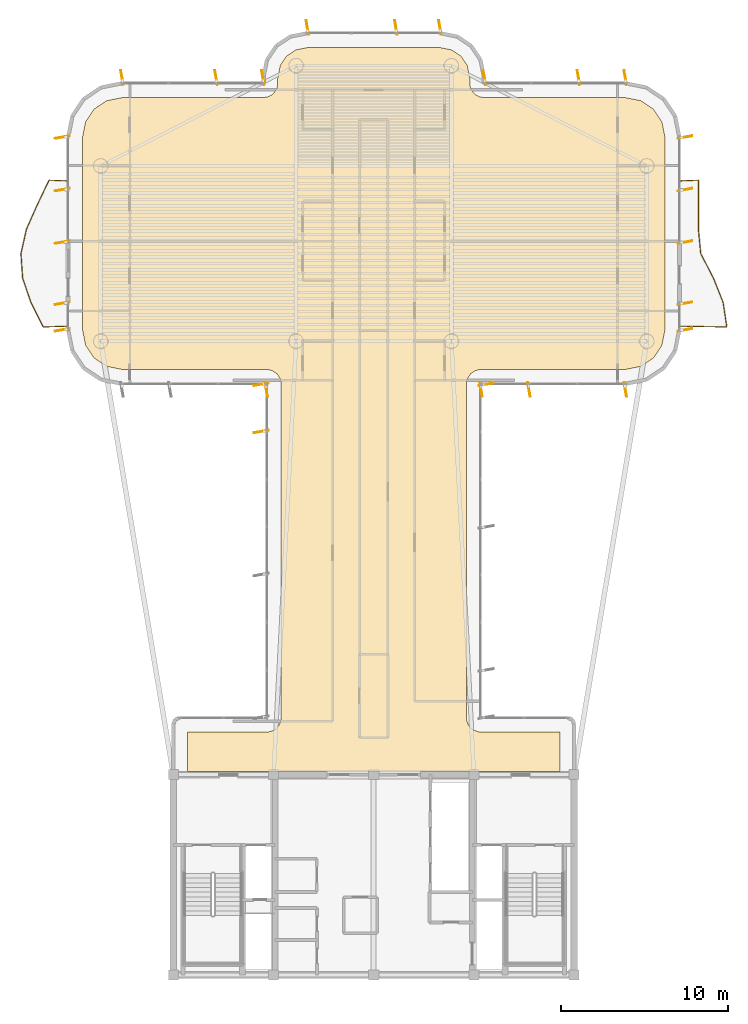
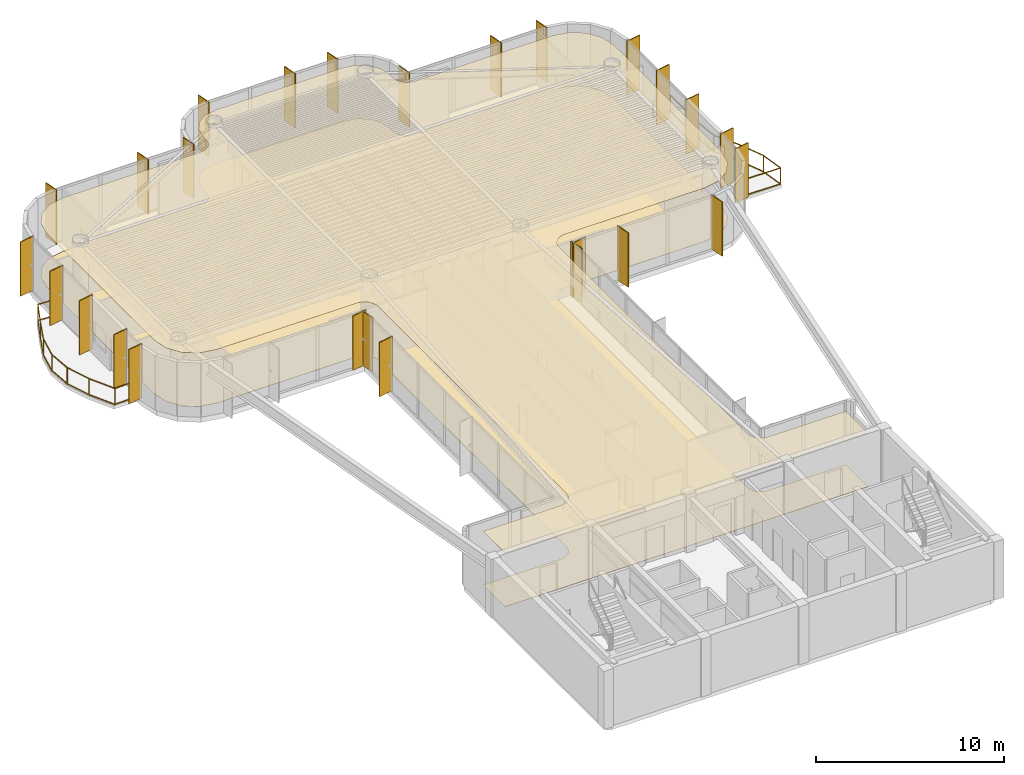
# One storey, part 16 of 16: 26 shading devices, 2 coverings, 2 railings.
"""IFC4 building model written with IfcOpenShell, lengths in metres."""

import ifcopenshell
import ifcopenshell.guid

model = None  # the IFC model being written
_history = None  # IfcOwnerHistory: only IFC2X3 demands one
_inside = {}  # id of a spatial element -> (the spatial element, [elements in it])
_under = {}  # id of a project, library or spatial element -> (it, [spatial elements below it])
_declared = {}  # id of a project -> (the project, [libraries it declares])
_typed = {}  # id of a type object -> (the type object, [elements of that type])
_made_of = {}  # id of a material, layer set ... -> (it, [elements and type objects made of it])


def new_model(schema):
    """Start an empty IFC model of exactly this schema.

    Asked for "IFC4X3", IfcOpenShell would pick the latest addendum, in which some entities
    have other attributes; the version numbers below select the first issue.
    IFC2X3 requires an IfcOwnerHistory on every rooted entity: one is made here for all.
    """
    global model, _history
    if schema == "IFC4X3":
        model = ifcopenshell.file(schema_version=(4, 3, 0, 0))
    else:
        model = ifcopenshell.file(schema=schema)
    _inside.clear()
    _under.clear()
    _declared.clear()
    _typed.clear()
    _made_of.clear()
    _history = None
    if model.schema == "IFC2X3":
        org = make("IfcOrganization", Name="unknown")
        user = make(
            "IfcPersonAndOrganization",
            ThePerson=make("IfcPerson", FamilyName="unknown"),
            TheOrganization=org,
        )
        app = make(
            "IfcApplication",
            ApplicationDeveloper=org,
            Version="unknown",
            ApplicationFullName="unknown",
            ApplicationIdentifier="unknown",
        )
        _history = make(
            "IfcOwnerHistory",
            OwningUser=user,
            OwningApplication=app,
            ChangeAction="ADDED",
            CreationDate=0,
        )
    return model


def make(cls, **values):
    """One entity of the class cls with the attributes given. An attribute that is None is left unset."""
    return model.create_entity(
        cls, **{name: value for name, value in values.items() if value is not None}
    )


def rooted(cls, **values):
    """An entity with a GlobalId (a new one), such as an element, a storey or a relation."""
    return make(cls, GlobalId=ifcopenshell.guid.new(), OwnerHistory=_history, **values)


def si_unit(unit_type, name, prefix=None):
    """IfcSIUnit, for example si_unit("LENGTHUNIT", "METRE", prefix="MILLI")."""
    return make("IfcSIUnit", UnitType=unit_type, Prefix=prefix, Name=name)


def assignment(units):
    """IfcUnitAssignment: the units of a project."""
    return None if units is None else make("IfcUnitAssignment", Units=units)


def point(xyz):
    """IfcCartesianPoint."""
    return None if xyz is None else make("IfcCartesianPoint", Coordinates=xyz)


def direction(xyz):
    """IfcDirection."""
    return None if xyz is None else make("IfcDirection", DirectionRatios=xyz)


def frame(location, z_axis=None, x_axis=None):
    """IfcAxis2Placement3D, a coordinate frame: its origin and axes. An axis left out is left unset."""
    return make(
        "IfcAxis2Placement3D",
        Location=point(location),
        Axis=direction(z_axis),
        RefDirection=direction(x_axis),
    )


def frame_2d(location, x_axis=None):
    """IfcAxis2Placement2D, a coordinate frame in the plane: its origin and x axis."""
    return make(
        "IfcAxis2Placement2D", Location=point(location), RefDirection=direction(x_axis)
    )


def origin():
    """The frame at (0, 0, 0) with its axes left unset."""
    return frame((0.0, 0.0, 0.0))


def origin_2d():
    """The frame at (0, 0) in the plane with its x axis left unset."""
    return frame_2d((0.0, 0.0))


def place(relative_to, where):
    """IfcLocalPlacement: puts the frame where relative to a parent placement (None: the world)."""
    return make(
        "IfcLocalPlacement", PlacementRelTo=relative_to, RelativePlacement=where
    )


def context(
    kind, dimensions, precision=None, world=None, true_north=None, identifier=None
):
    """IfcGeometricRepresentationContext, for example the 3D "Model" context."""
    return make(
        "IfcGeometricRepresentationContext",
        ContextIdentifier=identifier,
        ContextType=kind,
        CoordinateSpaceDimension=dimensions,
        Precision=precision,
        WorldCoordinateSystem=world,
        TrueNorth=true_north,
    )


def subcontext(parent, identifier, kind, view, scale=None):
    """IfcGeometricRepresentationSubContext, for example "Body" below "Model"."""
    return make(
        "IfcGeometricRepresentationSubContext",
        ContextIdentifier=identifier,
        ContextType=kind,
        ParentContext=parent,
        TargetScale=scale,
        TargetView=view,
    )


def project(units=None, contexts=None):
    """IfcProject with its units and contexts."""
    return rooted(
        "IfcProject",
        Name="project",
        RepresentationContexts=contexts,
        UnitsInContext=assignment(units),
    )


def spatial(cls, under=None, at=None, **own):
    """A site, building, storey or space (cls), placed at a placement, below another one or the project."""
    s = rooted(cls, ObjectPlacement=at, **own)
    if under is not None:
        _under.setdefault(under.id(), (under, []))[1].append(s)
    return s


def polyline(points):
    """IfcPolyline through the points."""
    return make("IfcPolyline", Points=[point(p) for p in points])


def profile(cls, at=None, kind="AREA", **sizes):
    """A parametric profile (cls). Its sizes go by their IFC names, for example OverallWidth=200.0."""
    return make(cls, ProfileType=kind, Position=at, **sizes)


def rectangle(**sizes):
    """IfcRectangleProfileDef."""
    return profile("IfcRectangleProfileDef", **sizes)


def outline(outer, holes=None, kind="AREA"):
    """IfcArbitraryClosedProfileDef: a profile drawn as a closed curve; with holes, ...WithVoids."""
    if holes is None:
        return make("IfcArbitraryClosedProfileDef", ProfileType=kind, OuterCurve=outer)
    return make(
        "IfcArbitraryProfileDefWithVoids",
        ProfileType=kind,
        OuterCurve=outer,
        InnerCurves=holes,
    )


def extrude(swept, where, along, depth):
    """IfcExtrudedAreaSolid: the profile swept, set in the frame where, extruded along a direction by depth."""
    return make(
        "IfcExtrudedAreaSolid",
        SweptArea=swept,
        Position=where,
        ExtrudedDirection=direction(along),
        Depth=depth,
    )


def shape(context_of_items, identifier, shape_type, items):
    """IfcShapeRepresentation: the items that make up one representation, for example the "Body"."""
    return make(
        "IfcShapeRepresentation",
        ContextOfItems=context_of_items,
        RepresentationIdentifier=identifier,
        RepresentationType=shape_type,
        Items=items,
    )


def source(mapping_origin, context_of_items, identifier, shape_type, items):
    """IfcRepresentationMap: a shape defined once, which mapped items show again and again."""
    return make(
        "IfcRepresentationMap",
        MappingOrigin=mapping_origin,
        MappedRepresentation=shape(context_of_items, identifier, shape_type, items),
    )


def transform(
    local_origin,
    x_axis=None,
    y_axis=None,
    z_axis=None,
    scale=None,
    scale2=None,
    scale3=None,
    uniform=True,
):
    """IfcCartesianTransformationOperator3D, or its non-uniform kind. x_axis, y_axis, z_axis: its Axis1, 2, 3."""
    if uniform:
        return make(
            "IfcCartesianTransformationOperator3D",
            Axis1=direction(x_axis),
            Axis2=direction(y_axis),
            LocalOrigin=point(local_origin),
            Scale=scale,
            Axis3=direction(z_axis),
        )
    return make(
        "IfcCartesianTransformationOperator3DnonUniform",
        Axis1=direction(x_axis),
        Axis2=direction(y_axis),
        LocalOrigin=point(local_origin),
        Scale=scale,
        Axis3=direction(z_axis),
        Scale2=scale2,
        Scale3=scale3,
    )


def mapped(mapping_source, mapping_target):
    """IfcMappedItem: shows the shape of a source again, moved by a transform."""
    return make(
        "IfcMappedItem", MappingSource=mapping_source, MappingTarget=mapping_target
    )


def material(Name=None, Category=None):
    """IfcMaterial."""
    return make("IfcMaterial", Name=Name, Category=Category)


def layer(
    of_material, thickness, ventilated=None, Name=None, Category=None, Priority=None
):
    """IfcMaterialLayer: one layer of a wall or slab, of a material (None: an air gap)."""
    return make(
        "IfcMaterialLayer",
        Material=of_material,
        LayerThickness=thickness,
        IsVentilated=ventilated,
        Name=Name,
        Category=Category,
        Priority=Priority,
    )


def layer_set(layers, Name=None):
    """IfcMaterialLayerSet."""
    return make("IfcMaterialLayerSet", MaterialLayers=layers, LayerSetName=Name)


def material_profile(
    of_material, cross_section, Name=None, Category=None, Priority=None
):
    """IfcMaterialProfile: a cross section and its material."""
    return make(
        "IfcMaterialProfile",
        Name=Name,
        Material=of_material,
        Profile=cross_section,
        Priority=Priority,
        Category=Category,
    )


def profile_set(profiles, Name=None, composite=None):
    """IfcMaterialProfileSet."""
    return make(
        "IfcMaterialProfileSet",
        Name=Name,
        MaterialProfiles=profiles,
        CompositeProfile=composite,
    )


def made_of(thing, what):
    """Note that an element or type object is made of a material, layer set ...; save() writes the relation."""
    if what is not None:
        _made_of.setdefault(what.id(), (what, []))[1].append(thing)
    return thing


def type_object(cls, material=None, **own):
    """A type object (cls), such as IfcWallType, which elements share."""
    return made_of(rooted(cls, **own), material)


def element(
    cls,
    number,
    at=None,
    inside=None,
    cuts=None,
    type_object=None,
    material=None,
    context=None,
    identifier="Body",
    shape_type=None,
    held_by="IfcProductDefinitionShape",
    body=None,
    shapes=None,
    **own,
):
    """One element of the class cls, such as IfcWall. Its Tag is "e" and its number.

    at: its placement. inside: the storey or other place that contains it. cuts: it is an
    opening in that element (IfcRelVoidsElement). A single representation is given by context,
    identifier, shape_type and body (its items); several are given by shapes. held_by: the class
    of the entity that holds the representations. save() writes the other relations.
    """
    e = rooted(cls, Tag="e%d" % number, ObjectPlacement=at, **own)
    if body is not None:
        shapes = [shape(context, identifier, shape_type, body)]
    if shapes is not None:
        e.Representation = make(held_by, Representations=shapes)
    if inside is not None:
        _inside.setdefault(inside.id(), (inside, []))[1].append(e)
    if cuts is not None:
        rooted(
            "IfcRelVoidsElement", RelatingBuildingElement=cuts, RelatedOpeningElement=e
        )
    if type_object is not None:
        _typed.setdefault(type_object.id(), (type_object, []))[1].append(e)
    return made_of(e, material)


def aggregate(whole, parts):
    """IfcRelAggregates: a whole, such as a stair, and the parts it consists of."""
    return rooted("IfcRelAggregates", RelatingObject=whole, RelatedObjects=parts)


def save(model, path):
    """Write the relations noted so far, then the file.

    IfcRelAggregates (storeys below a building ...), IfcRelContainedInSpatialStructure (elements
    in a storey), IfcRelDefinesByType, IfcRelAssociatesMaterial and IfcRelDeclares: one each for
    every whole, place, type object, material and project.
    """
    for whole, parts in _under.values():
        aggregate(whole, parts)
    for where, things in _inside.values():
        rooted(
            "IfcRelContainedInSpatialStructure",
            RelatedElements=things,
            RelatingStructure=where,
        )
    for kind, things in _typed.values():
        rooted("IfcRelDefinesByType", RelatedObjects=things, RelatingType=kind)
    for what, things in _made_of.values():
        rooted("IfcRelAssociatesMaterial", RelatedObjects=things, RelatingMaterial=what)
    for by, libraries in _declared.values():
        rooted("IfcRelDeclares", RelatingContext=by, RelatedDefinitions=libraries)
    model.write(path)


model = new_model("IFC4")

# Units and contexts
model_context = context("Model", 3, precision=1e-05, world=origin(), true_north=direction((0.0, 1.0)))
body_context = subcontext(model_context, "Body", "Model", "MODEL_VIEW")
ifc_project = project(units=[si_unit("LENGTHUNIT", "METRE"), si_unit("AREAUNIT", "SQUARE_METRE"), si_unit("VOLUMEUNIT", "CUBIC_METRE"), si_unit("PLANEANGLEUNIT", "RADIAN"), si_unit("MASSUNIT", "GRAM", prefix="KILO")], contexts=[model_context])

# Site, building, storey
site_placement = place(None, origin())
site = spatial("IfcSite", under=ifc_project, at=site_placement, CompositionType="ELEMENT")
building_placement = place(site_placement, origin())
building = spatial("IfcBuilding", under=site, at=building_placement, Name="Brelvock Crest Care Tower", CompositionType="ELEMENT")
storey_placement = place(building_placement, frame((0.0, 0.0, 223.02001953125)))
storey = spatial("IfcBuildingStorey", under=building, at=storey_placement, Name="L56", CompositionType="ELEMENT", Elevation=223.02001953125)

# Coverings
ifc_material_1 = material(Name="Mineral Fibre Acoustic Ceiling Tile", Category="gypsum")
ifc_layer_1 = layer(ifc_material_1, 0.02490234375, Name="COV-CLG1")
ifc_layer_set_1 = layer_set([ifc_layer_1], Name="Mineral Fibre Acoustic Ceiling Tile")
covering_type_1 = type_object("IfcCoveringType", Name="COV-CLG1", PredefinedType="CEILING", material=ifc_layer_set_1)
covering_1_placement = place(storey_placement, frame((0.0, 0.0, 3.47509765625)))
element("IfcCovering", 1, at=covering_1_placement, inside=storey, type_object=covering_type_1, Name="L56 Acoustic Suspended Ceiling 1", PredefinedType="CEILING", context=body_context, shape_type="SweptSolid", body=[
    extrude(outline(polyline([(24.85009765625, 18.199951171875), (47.14990234375, 18.199951171875), (47.14990234375, 20.550048828125), (42.316650390625, 20.55419921875), (41.999267578125, 20.650390625), (41.799072265625, 20.799072265625), (41.650390625, 20.999267578125), (41.56640625, 21.234130859375), (41.55419921875, 41.4833984375), (41.61474609375, 41.725341796875), (41.799072265625, 42.0009765625), (42.07470703125, 42.185302734375), (42.316650390625, 42.245849609375), (51.016357421875, 42.25), (51.992919921875, 42.4443359375), (52.75, 42.9501953125), (53.255615234375, 43.70703125), (53.449951171875, 44.68359375), (53.449951171875, 56.1162109375), (53.255615234375, 57.093017578125), (52.75, 57.849853515625), (51.992919921875, 58.355712890625), (51.016357421875, 58.550048828125), (42.60009765625, 58.550048828125), (42.353271484375, 58.586669921875), (42.127685546875, 58.693359375), (41.9990234375, 58.799072265625), (41.814697265625, 59.07470703125), (41.754150390625, 59.316650390625), (41.75, 59.71630859375), (41.601318359375, 60.46337890625), (41.2255859375, 61.025634765625), (40.663330078125, 61.4013671875), (39.916259765625, 61.550048828125), (32.083740234375, 61.550048828125), (31.336669921875, 61.4013671875), (30.7744140625, 61.025634765625), (30.398681640625, 60.46337890625), (30.25, 59.71630859375), (30.245849609375, 59.316650390625), (30.185302734375, 59.07470703125), (30.0009765625, 58.799072265625), (29.872314453125, 58.693359375), (29.646728515625, 58.586669921875), (29.39990234375, 58.550048828125), (20.983642578125, 58.550048828125), (20.007080078125, 58.355712890625), (19.25, 57.849853515625), (18.744384765625, 57.093017578125), (18.550048828125, 56.1162109375), (18.550048828125, 44.68359375), (18.744384765625, 43.70703125), (19.25, 42.9501953125), (20.007080078125, 42.4443359375), (20.983642578125, 42.25), (29.683349609375, 42.245849609375), (29.92529296875, 42.185302734375), (30.200927734375, 42.0009765625), (30.349609375, 41.80078125), (30.43359375, 41.56591796875), (30.449951171875, 21.39990234375), (30.413330078125, 21.1533203125), (30.306640625, 20.927734375), (30.13916015625, 20.742919921875), (29.92529296875, 20.61474609375), (29.683349609375, 20.55419921875), (24.85009765625, 20.550048828125), (24.85009765625, 18.199951171875)])), origin(), (0.0, 0.0, 1.0), 0.02490234375),
])
ifc_material_2 = material(Name="Slip-Resistant Acoustic Vinyl Flooring", Category="finish")
ifc_layer_2 = layer(ifc_material_2, 0.014892578125, Name="COV-FLR1")
ifc_layer_set_2 = layer_set([ifc_layer_2], Name="Slip-Resistant Acoustic Vinyl Flooring")
covering_type_2 = type_object("IfcCoveringType", Name="COV-FLR1", PredefinedType="FLOORING", material=ifc_layer_set_2)
covering_2_placement = place(storey_placement, origin())
element("IfcCovering", 2, at=covering_2_placement, inside=storey, type_object=covering_type_2, Name="L56 Slip-Resistant Acoustic Flooring 1", PredefinedType="FLOORING", context=body_context, shape_type="SweptSolid", body=[
    extrude(outline(polyline([(24.85009765625, 18.199951171875), (47.14990234375, 18.199951171875), (47.14990234375, 20.550048828125), (42.316650390625, 20.55419921875), (41.999267578125, 20.650390625), (41.799072265625, 20.799072265625), (41.650390625, 20.999267578125), (41.56640625, 21.234130859375), (41.55419921875, 41.4833984375), (41.61474609375, 41.725341796875), (41.799072265625, 42.0009765625), (42.07470703125, 42.185302734375), (42.316650390625, 42.245849609375), (51.016357421875, 42.25), (51.992919921875, 42.4443359375), (52.75, 42.9501953125), (53.255615234375, 43.70703125), (53.449951171875, 44.68359375), (53.449951171875, 56.1162109375), (53.255615234375, 57.093017578125), (52.75, 57.849853515625), (51.992919921875, 58.355712890625), (51.016357421875, 58.550048828125), (42.60009765625, 58.550048828125), (42.353271484375, 58.586669921875), (42.127685546875, 58.693359375), (41.9990234375, 58.799072265625), (41.814697265625, 59.07470703125), (41.754150390625, 59.316650390625), (41.75, 59.71630859375), (41.601318359375, 60.46337890625), (41.2255859375, 61.025634765625), (40.663330078125, 61.4013671875), (39.916259765625, 61.550048828125), (32.083740234375, 61.550048828125), (31.336669921875, 61.4013671875), (30.7744140625, 61.025634765625), (30.398681640625, 60.46337890625), (30.25, 59.71630859375), (30.245849609375, 59.316650390625), (30.185302734375, 59.07470703125), (30.0009765625, 58.799072265625), (29.872314453125, 58.693359375), (29.646728515625, 58.586669921875), (29.39990234375, 58.550048828125), (20.983642578125, 58.550048828125), (20.007080078125, 58.355712890625), (19.25, 57.849853515625), (18.744384765625, 57.093017578125), (18.550048828125, 56.1162109375), (18.550048828125, 44.68359375), (18.744384765625, 43.70703125), (19.25, 42.9501953125), (20.007080078125, 42.4443359375), (20.983642578125, 42.25), (29.683349609375, 42.245849609375), (29.92529296875, 42.185302734375), (30.200927734375, 42.0009765625), (30.349609375, 41.80078125), (30.43359375, 41.56591796875), (30.449951171875, 21.39990234375), (30.413330078125, 21.1533203125), (30.306640625, 20.927734375), (30.13916015625, 20.742919921875), (29.92529296875, 20.61474609375), (29.683349609375, 20.55419921875), (24.85009765625, 20.550048828125), (24.85009765625, 18.199951171875)])), origin(), (0.0, 0.0, 1.0), 0.014892578125),
])

# Railings
ifc_material_3 = material(Name="Dark Glass Double Glazed Low-E", Category="glass")
ifc_layer_3 = layer(ifc_material_3, 0.06005859375, Name="RL-BAL1")
ifc_layer_set_3 = layer_set([ifc_layer_3], Name="Dark Glass Double Glazed Low-E")
railing_type = type_object("IfcRailingType", Name="RL-BAL1", PredefinedType="BALUSTRADE", material=ifc_layer_set_3)
railing_1_placement = place(storey_placement, frame((17.659912109375, 44.85009765625, 0.00390625)))
element("IfcRailing", 3, at=railing_1_placement, inside=storey, type_object=railing_type, Name="L56 Safety Balustrade WB-W", PredefinedType="BALUSTRADE", context=body_context, shape_type="SweptSolid", body=[
    extrude(rectangle(XDim=0.048095703125, YDim=0.048095703125, at=origin_2d()), frame((-0.001953125, 0.0, 1.09619140625), z_axis=(-0.999404799616, -0.034497050669, 0.0), x_axis=(0.034497050669, -0.999404799616, 0.0)), (0.0, 0.0, 1.0), 1.44677734375),
    extrude(rectangle(XDim=0.048095703125, YDim=0.048095703125, at=origin_2d()), frame((-0.001953125, 0.0, 0.054931640625), z_axis=(-0.999404799616, -0.034497050669, 0.0), x_axis=(0.034497050669, -0.999404799616, 0.0)), (0.0, 0.0, 1.0), 1.44677734375),
    extrude(rectangle(XDim=0.048095703125, YDim=0.048095703125, at=origin_2d()), frame((-1.450927734375, -0.04833984375, 1.09619140625), z_axis=(-0.448225238773, 0.893920653821, 0.0), x_axis=(-0.893920653821, -0.448225238773, 0.0)), (0.0, 0.0, 1.0), 1.636474609375),
    extrude(rectangle(XDim=0.048095703125, YDim=0.048095703125, at=origin_2d()), frame((-1.450927734375, -0.04833984375, 0.054931640625), z_axis=(-0.448225238773, 0.893920653821, 0.0), x_axis=(-0.893920653821, -0.448225238773, 0.0)), (0.0, 0.0, 1.0), 1.636474609375),
    extrude(rectangle(XDim=0.048095703125, YDim=0.048095703125, at=origin_2d()), frame((-2.18603515625, 1.41845703125, 1.09619140625), z_axis=(-0.321377111723, 0.946951293394, 0.0), x_axis=(-0.946951293394, -0.321377111723, 0.0)), (0.0, 0.0, 1.0), 1.544921875),
    extrude(rectangle(XDim=0.048095703125, YDim=0.048095703125, at=origin_2d()), frame((-2.18603515625, 1.41845703125, 0.054931640625), z_axis=(-0.321377111723, 0.946951293394, 0.0), x_axis=(-0.946951293394, -0.321377111723, 0.0)), (0.0, 0.0, 1.0), 1.544921875),
    extrude(rectangle(XDim=0.048095703125, YDim=0.048095703125, at=origin_2d()), frame((-2.683349609375, 2.88525390625, 1.09619140625), z_axis=(-0.068095275072, 0.997678822825, 0.0), x_axis=(-0.997678822825, -0.068095275072, 0.0)), (0.0, 0.0, 1.0), 1.466064453125),
    extrude(rectangle(XDim=0.048095703125, YDim=0.048095703125, at=origin_2d()), frame((-2.683349609375, 2.88525390625, 0.054931640625), z_axis=(-0.068095275072, 0.997678822825, 0.0), x_axis=(-0.997678822825, -0.068095275072, 0.0)), (0.0, 0.0, 1.0), 1.466064453125),
    extrude(rectangle(XDim=0.048095703125, YDim=0.048095703125, at=origin_2d()), frame((-2.78271484375, 4.351806640625, 1.09619140625), z_axis=(0.219543106889, 0.975602800435, 0.0), x_axis=(-0.975602800435, 0.219543106889, 0.0)), (0.0, 0.0, 1.0), 1.49951171875),
    extrude(rectangle(XDim=0.048095703125, YDim=0.048095703125, at=origin_2d()), frame((-2.78271484375, 4.351806640625, 0.054931640625), z_axis=(0.219543106889, 0.975602800435, 0.0), x_axis=(-0.975602800435, 0.219543106889, 0.0)), (0.0, 0.0, 1.0), 1.49951171875),
    extrude(rectangle(XDim=0.048095703125, YDim=0.048095703125, at=origin_2d()), frame((-2.452392578125, 5.818359375, 1.09619140625), z_axis=(0.407182153329, 0.913346973505, 0.0), x_axis=(-0.913346973505, 0.407182153329, 0.0)), (0.0, 0.0, 1.0), 1.601806640625),
    extrude(rectangle(XDim=0.048095703125, YDim=0.048095703125, at=origin_2d()), frame((-2.452392578125, 5.818359375, 0.054931640625), z_axis=(0.407182153329, 0.913346973505, 0.0), x_axis=(-0.913346973505, 0.407182153329, 0.0)), (0.0, 0.0, 1.0), 1.601806640625),
    extrude(rectangle(XDim=0.048095703125, YDim=0.048095703125, at=origin_2d()), frame((-1.79833984375, 7.284912109375, 1.09619140625), z_axis=(0.430429214624, 0.902624335589, 0.0), x_axis=(-0.902624335589, 0.430429214624, 0.0)), (0.0, 0.0, 1.0), 1.62109375),
    extrude(rectangle(XDim=0.048095703125, YDim=0.048095703125, at=origin_2d()), frame((-1.79833984375, 7.284912109375, 0.054931640625), z_axis=(0.430429214624, 0.902624335589, 0.0), x_axis=(-0.902624335589, 0.430429214624, 0.0)), (0.0, 0.0, 1.0), 1.62109375),
    extrude(rectangle(XDim=0.048095703125, YDim=0.048095703125, at=origin_2d()), frame((-1.097900390625, 8.75, 1.09619140625), z_axis=(0.998966252902, -0.045457953795, 0.0), x_axis=(0.045457953795, 0.998966252902, 0.0)), (0.0, 0.0, 1.0), 1.096923828125),
    extrude(rectangle(XDim=0.048095703125, YDim=0.048095703125, at=origin_2d()), frame((-1.097900390625, 8.75, 0.054931640625), z_axis=(0.998966252902, -0.045457953795, 0.0), x_axis=(0.045457953795, 0.998966252902, 0.0)), (0.0, 0.0, 1.0), 1.096923828125),
    extrude(rectangle(XDim=0.0419921875, YDim=0.0419921875, at=origin_2d()), origin(), (0.0, 0.0, 1.0), 1.070068359375),
    extrude(rectangle(XDim=0.0419921875, YDim=0.0419921875, at=origin_2d()), frame((-1.449951171875, -0.050048828125, 0.0)), (0.0, 0.0, 1.0), 1.070068359375),
    extrude(rectangle(XDim=0.0419921875, YDim=0.0419921875, at=origin_2d()), frame((-2.185302734375, 1.41650390625, 0.0)), (0.0, 0.0, 1.0), 1.070068359375),
    extrude(rectangle(XDim=0.0419921875, YDim=0.0419921875, at=origin_2d()), frame((-2.68310546875, 2.88330078125, 0.0)), (0.0, 0.0, 1.0), 1.070068359375),
    extrude(rectangle(XDim=0.0419921875, YDim=0.0419921875, at=origin_2d()), frame((-2.783203125, 4.349853515625, 0.0)), (0.0, 0.0, 1.0), 1.070068359375),
    extrude(rectangle(XDim=0.0419921875, YDim=0.0419921875, at=origin_2d()), frame((-2.453125, 5.816650390625, 0.0)), (0.0, 0.0, 1.0), 1.070068359375),
    extrude(rectangle(XDim=0.0419921875, YDim=0.0419921875, at=origin_2d()), frame((-1.79931640625, 7.283203125, 0.0)), (0.0, 0.0, 1.0), 1.070068359375),
    extrude(rectangle(XDim=0.0419921875, YDim=0.0419921875, at=origin_2d()), frame((-1.099853515625, 8.75, 0.0)), (0.0, 0.0, 1.0), 1.070068359375),
    extrude(rectangle(XDim=0.0419921875, YDim=0.0419921875, at=origin_2d()), frame((0.0, 8.699951171875, 0.0)), (0.0, 0.0, 1.0), 1.070068359375),
])
railing_2_placement = place(storey_placement, frame((54.340087890625, 44.85009765625, 0.00390625)))
element("IfcRailing", 4, at=railing_2_placement, inside=storey, type_object=railing_type, Name="L56 Safety Balustrade WB-E", PredefinedType="BALUSTRADE", context=body_context, shape_type="SweptSolid", body=[
    extrude(rectangle(XDim=0.048095703125, YDim=0.048095703125, at=origin_2d()), frame((0.001953125, 0.0, 1.09619140625), z_axis=(0.99984026566, -0.017872973008, 0.0), x_axis=(0.017872973008, 0.99984026566, 0.0)), (0.0, 0.0, 1.0), 2.796142578125),
    extrude(rectangle(XDim=0.048095703125, YDim=0.048095703125, at=origin_2d()), frame((0.001953125, 0.0, 0.054931640625), z_axis=(0.99984026566, -0.017872973008, 0.0), x_axis=(0.017872973008, 0.99984026566, 0.0)), (0.0, 0.0, 1.0), 2.796142578125),
    extrude(rectangle(XDim=0.048095703125, YDim=0.048095703125, at=origin_2d()), frame((2.799560546875, -0.048095703125, 1.09619140625), z_axis=(-0.146882849114, 0.989153895325, 0.0), x_axis=(-0.989153895325, -0.146882849114, 0.0)), (0.0, 0.0, 1.0), 1.478515625),
    extrude(rectangle(XDim=0.048095703125, YDim=0.048095703125, at=origin_2d()), frame((2.799560546875, -0.048095703125, 0.054931640625), z_axis=(-0.146882849114, 0.989153895325, 0.0), x_axis=(-0.989153895325, -0.146882849114, 0.0)), (0.0, 0.0, 1.0), 1.478515625),
    extrude(rectangle(XDim=0.048095703125, YDim=0.048095703125, at=origin_2d()), frame((2.581298828125, 1.41845703125, 1.09619140625), z_axis=(-0.36936302047, 0.929285187179, 0.0), x_axis=(-0.929285187179, -0.36936302047, 0.0)), (0.0, 0.0, 1.0), 1.574462890625),
    extrude(rectangle(XDim=0.048095703125, YDim=0.048095703125, at=origin_2d()), frame((2.581298828125, 1.41845703125, 0.054931640625), z_axis=(-0.36936302047, 0.929285187179, 0.0), x_axis=(-0.929285187179, -0.36936302047, 0.0)), (0.0, 0.0, 1.0), 1.574462890625),
    extrude(rectangle(XDim=0.048095703125, YDim=0.048095703125, at=origin_2d()), frame((1.998046875, 2.885009765625, 1.09619140625), z_axis=(-0.460230882472, 0.887799264935, 0.0), x_axis=(-0.887799264935, -0.460230882472, 0.0)), (0.0, 0.0, 1.0), 1.64794921875),
    extrude(rectangle(XDim=0.048095703125, YDim=0.048095703125, at=origin_2d()), frame((1.998046875, 2.885009765625, 0.054931640625), z_axis=(-0.460230882472, 0.887799264935, 0.0), x_axis=(-0.887799264935, -0.460230882472, 0.0)), (0.0, 0.0, 1.0), 1.64794921875),
    extrude(rectangle(XDim=0.048095703125, YDim=0.048095703125, at=origin_2d()), frame((1.238525390625, 4.351806640625, 1.09619140625), z_axis=(-0.094285159279, 0.99554523189, 0.0), x_axis=(-0.99554523189, -0.094285159279, 0.0)), (0.0, 0.0, 1.0), 1.469482421875),
    extrude(rectangle(XDim=0.048095703125, YDim=0.048095703125, at=origin_2d()), frame((1.238525390625, 4.351806640625, 0.054931640625), z_axis=(-0.094285159279, 0.99554523189, 0.0), x_axis=(-0.99554523189, -0.094285159279, 0.0)), (0.0, 0.0, 1.0), 1.469482421875),
    extrude(rectangle(XDim=0.048095703125, YDim=0.048095703125, at=origin_2d()), frame((1.099853515625, 5.818603515625, 1.09619140625), z_axis=(0.0, 1.0, 0.0), x_axis=(-1.0, 0.0, 0.0)), (0.0, 0.0, 1.0), 2.929443359375),
    extrude(rectangle(XDim=0.048095703125, YDim=0.048095703125, at=origin_2d()), frame((1.099853515625, 5.818603515625, 0.054931640625), z_axis=(0.0, 1.0, 0.0), x_axis=(-1.0, 0.0, 0.0)), (0.0, 0.0, 1.0), 2.929443359375),
    extrude(rectangle(XDim=0.048095703125, YDim=0.048095703125, at=origin_2d()), frame((1.097900390625, 8.75, 1.09619140625), z_axis=(-0.998966252902, -0.045457953795, 0.0), x_axis=(0.045457953795, -0.998966252902, 0.0)), (0.0, 0.0, 1.0), 1.096923828125),
    extrude(rectangle(XDim=0.048095703125, YDim=0.048095703125, at=origin_2d()), frame((1.097900390625, 8.75, 0.054931640625), z_axis=(-0.998966252902, -0.045457953795, 0.0), x_axis=(0.045457953795, -0.998966252902, 0.0)), (0.0, 0.0, 1.0), 1.096923828125),
    extrude(rectangle(XDim=0.0419921875, YDim=0.0419921875, at=origin_2d()), origin(), (0.0, 0.0, 1.0), 1.070068359375),
    extrude(rectangle(XDim=0.0419921875, YDim=0.0419921875, at=origin_2d()), frame((2.7998046875, -0.050048828125, 0.0)), (0.0, 0.0, 1.0), 1.070068359375),
    extrude(rectangle(XDim=0.0419921875, YDim=0.0419921875, at=origin_2d()), frame((2.58203125, 1.41650390625, 0.0)), (0.0, 0.0, 1.0), 1.070068359375),
    extrude(rectangle(XDim=0.0419921875, YDim=0.0419921875, at=origin_2d()), frame((1.9990234375, 2.88330078125, 0.0)), (0.0, 0.0, 1.0), 1.070068359375),
    extrude(rectangle(XDim=0.0419921875, YDim=0.0419921875, at=origin_2d()), frame((1.23876953125, 4.349853515625, 0.0)), (0.0, 0.0, 1.0), 1.070068359375),
    extrude(rectangle(XDim=0.0419921875, YDim=0.0419921875, at=origin_2d()), frame((1.099853515625, 5.816650390625, 0.0)), (0.0, 0.0, 1.0), 1.070068359375),
    extrude(rectangle(XDim=0.0419921875, YDim=0.0419921875, at=origin_2d()), frame((1.099853515625, 8.75, 0.0)), (0.0, 0.0, 1.0), 1.070068359375),
    extrude(rectangle(XDim=0.0419921875, YDim=0.0419921875, at=origin_2d()), frame((0.0, 8.699951171875, 0.0)), (0.0, 0.0, 1.0), 1.070068359375),
])

# Shading devices
ifc_material_4 = material(Name="Aluminium 6063-T6", Category="aluminium")
ifc_material_profile = material_profile(ifc_material_4, rectangle(XDim=0.054931640625, YDim=0.89990234375, at=origin_2d()), Name="FIN55x900")
ifc_profile_set = profile_set([ifc_material_profile], Name="Aluminium 6063-T6")
shading_device_type = type_object("IfcShadingDeviceType", Name="SHD-FIN1", PredefinedType="USERDEFINED", material=ifc_profile_set)
shared_shape = source(origin(), body_context, "Body", "SweptSolid", [
    extrude(rectangle(XDim=0.054931640625, YDim=0.89990234375, at=origin_2d()), origin(), (0.0, 0.0, 1.0), 3.530029296875),
])
for number, where, z_axis, x_axis, name in (
    (5, (29.260009765625, 38.54296875, 0.0), (0.0, 0.0, 1.0), (-0.173648177667, 0.984807753012, 0.0), "L56 Vertical Sunshade Fin E11-07"),
    (6, (29.260009765625, 41.3701171875, 0.0), (0.0, 0.0, 1.0), (-0.173648177667, 0.984807753012, 0.0), "L56 Vertical Sunshade Fin E11-08"),
    (7, (29.570068359375, 41.06005859375, 0.0), (0.0, 0.0, 1.0), (-0.984807753012, -0.173648177667, 0.0), "L56 Vertical Sunshade Fin E12-01"),
    (8, (17.360107421875, 44.6298828125, 0.0), (0.0, 0.0, 1.0), (-0.173648177667, 0.984807753012, 0.0), "L56 Vertical Sunshade Fin E17A-01"),
    (9, (17.360107421875, 46.219970703125, 0.0), (0.0, 0.0, 1.0), (-0.173648177667, 0.984807753012, 0.0), "L56 Vertical Sunshade Fin E17A-02"),
    (10, (17.360107421875, 49.8798828125, 0.0), (0.0, 0.0, 1.0), (-0.173648177667, 0.984807753012, 0.0), "L56 Vertical Sunshade Fin E17B-01"),
    (11, (17.360107421875, 53.02490234375, 0.0), (0.0, 0.0, 1.0), (-0.173648177667, 0.984807753012, 0.0), "L56 Vertical Sunshade Fin E17B-02"),
    (12, (17.360107421875, 56.169921875, 0.0), (0.0, 0.0, 1.0), (-0.173648177667, 0.984807753012, 0.0), "L56 Vertical Sunshade Fin E17B-03"),
    (13, (20.929931640625, 59.739990234375, 0.0), (0.0, 0.0, 1.0), (0.984807753012, 0.173648177667, 0.0), "L56 Vertical Sunshade Fin E22-01"),
    (14, (26.566650390625, 59.739990234375, 0.0), (0.0, 0.0, 1.0), (0.984807753012, 0.173648177667, 0.0), "L56 Vertical Sunshade Fin E22-03"),
    (15, (29.3701171875, 59.739990234375, 0.0), (0.0, 0.0, 1.0), (0.984807753012, 0.173648177667, 0.0), "L56 Vertical Sunshade Fin E22-04"),
    (16, (32.030029296875, 62.739990234375, 0.0), (0.0, 0.0, 1.0), (0.984807753012, 0.173648177667, 0.0), "L56 Vertical Sunshade Fin E28-01"),
    (17, (37.333251953125, 62.739990234375, 0.0), (0.0, 0.0, 1.0), (0.984807753012, 0.173648177667, 0.0), "L56 Vertical Sunshade Fin E28-03"),
    (18, (39.969970703125, 62.739990234375, 0.0), (0.0, 0.0, 1.0), (0.984807753012, 0.173648177667, 0.0), "L56 Vertical Sunshade Fin E28-04"),
    (19, (42.6298828125, 59.739990234375, 0.0), (0.0, 0.0, 1.0), (0.984807753012, 0.173648177667, 0.0), "L56 Vertical Sunshade Fin E34-01"),
    (20, (48.2666015625, 59.739990234375, 0.0), (0.0, 0.0, 1.0), (0.984807753012, 0.173648177667, 0.0), "L56 Vertical Sunshade Fin E34-03"),
    (21, (51.070068359375, 59.739990234375, 0.0), (0.0, 0.0, 1.0), (0.984807753012, 0.173648177667, 0.0), "L56 Vertical Sunshade Fin E34-04"),
    (22, (54.639892578125, 56.169921875, 0.0), (0.0, 0.0, 1.0), (0.173648177667, -0.984807753012, 0.0), "L56 Vertical Sunshade Fin E39A-01"),
    (23, (54.639892578125, 53.02490234375, 0.0), (0.0, 0.0, 1.0), (0.173648177667, -0.984807753012, 0.0), "L56 Vertical Sunshade Fin E39A-02"),
    (24, (54.639892578125, 49.8798828125, 0.0), (0.0, 0.0, 1.0), (0.173648177667, -0.984807753012, 0.0), "L56 Vertical Sunshade Fin E39A-03"),
    (25, (54.639892578125, 46.219970703125, 0.0), (0.0, 0.0, 1.0), (0.173648177667, -0.984807753012, 0.0), "L56 Vertical Sunshade Fin E39B-01"),
    (26, (54.639892578125, 44.6298828125, 0.0), (0.0, 0.0, 1.0), (0.173648177667, -0.984807753012, 0.0), "L56 Vertical Sunshade Fin E39B-02"),
    (27, (51.070068359375, 41.06005859375, 0.0), (0.0, 0.0, 1.0), (-0.984807753012, -0.173648177667, 0.0), "L56 Vertical Sunshade Fin E44-01"),
    (28, (45.300048828125, 41.06005859375, 0.0), (0.0, 0.0, 1.0), (-0.984807753012, -0.173648177667, 0.0), "L56 Vertical Sunshade Fin E44-03"),
    (29, (42.429931640625, 41.06005859375, 0.0), (0.0, 0.0, 1.0), (-0.984807753012, -0.173648177667, 0.0), "L56 Vertical Sunshade Fin E44-04"),
    (30, (42.739990234375, 41.3701171875, 0.0), (0.0, 0.0, 1.0), (0.173648177667, -0.984807753012, 0.0), "L56 Vertical Sunshade Fin E45-01"),
):
    element("IfcShadingDevice", number, at=place(storey_placement, frame(where, z_axis=z_axis, x_axis=x_axis)), inside=storey, type_object=shading_device_type, Name=name, ObjectType="FIN", PredefinedType="USERDEFINED", context=body_context, shape_type="MappedRepresentation", body=[
        mapped(shared_shape, transform((0.0, 0.0, 0.0), x_axis=(1.0, 0.0, 0.0), y_axis=(0.0, 1.0, 0.0), z_axis=(0.0, 0.0, 1.0), scale=1.0)),
    ])

save(model, "model.ifc")
